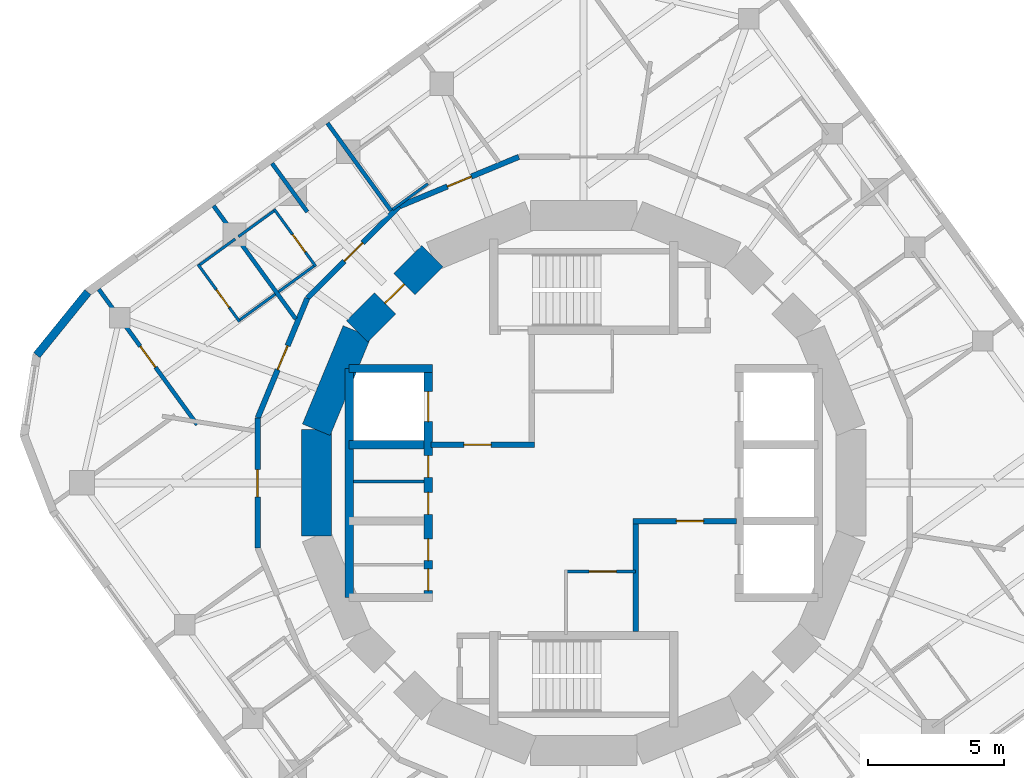
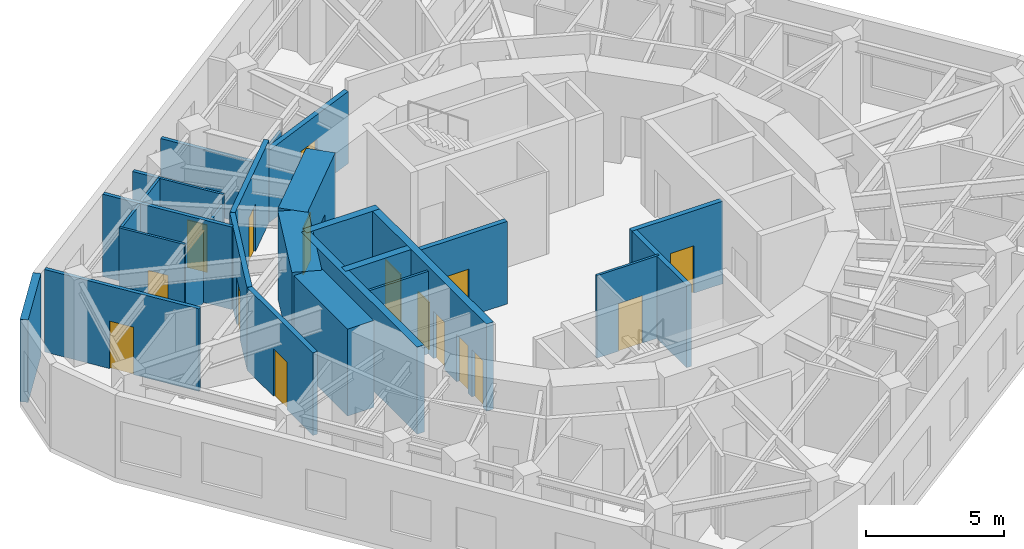
# One storey, part 5 of 9: 28 walls, 16 doors, 16 openings.
"""IFC4 building model written with IfcOpenShell, lengths in metres."""

from ifc_helpers import new_model, si_unit, direction, frame, frame_2d, origin, place, context, subcontext, project, spatial, rectangle, extrude, material, layer, layer_set, type_object, element, fill, save


model = new_model("IFC4")

# Units and contexts
model_context = context("Model", 3, precision=1e-05, world=origin(), true_north=direction((0.0, 1.0)))
body_context = subcontext(model_context, "Body", "Model", "MODEL_VIEW")
ifc_project = project(units=[si_unit("LENGTHUNIT", "METRE"), si_unit("AREAUNIT", "SQUARE_METRE"), si_unit("VOLUMEUNIT", "CUBIC_METRE"), si_unit("PLANEANGLEUNIT", "RADIAN"), si_unit("MASSUNIT", "GRAM", prefix="KILO")], contexts=[model_context])

# Site, building, storey
site_placement = place(None, origin())
site = spatial("IfcSite", under=ifc_project, at=site_placement, CompositionType="ELEMENT")
building_placement = place(site_placement, origin())
building = spatial("IfcBuilding", under=site, at=building_placement, Name="Nakasero Lantern House", CompositionType="ELEMENT")
storey_placement = place(building_placement, frame((0.0, 0.0, 271.449951171875)))
storey = spatial("IfcBuildingStorey", under=building, at=storey_placement, Name="L66", CompositionType="ELEMENT", Elevation=271.449951171875)

# Wall, openings, doors
ifc_material_1 = material(Name="Concrete C50/60", Category="concrete")
ifc_layer_1 = layer(ifc_material_1, 0.300048828125)
ifc_layer_set_1 = layer_set([ifc_layer_1], Name="Core inner wall 300")
wall_type_1 = type_object("IfcWallType", Name="Core inner wall 300", PredefinedType="SHEAR", material=ifc_layer_set_1)
wall_1_placement = place(storey_placement, frame((-5.699951171875, -4.199951171875, 0.0), z_axis=(0.0, 0.0, 1.0), x_axis=(0.0, 1.0, 0.0)))
wall_1 = element("IfcWall", 1, at=wall_1_placement, inside=storey, type_object=wall_type_1, Name="Core inner wall L66 LW", PredefinedType="SHEAR", context=body_context, shape_type="SweptSolid", body=[
    extrude(rectangle(XDim=8.39990234375, YDim=0.300048828125, at=frame_2d((4.199951171875, 0.0))), origin(), (0.0, 0.0, 1.0), 3.85009765625),
])
opening_1_placement = place(wall_1_placement, frame((0.25, 0.0, 0.0)))
opening_1 = element("IfcOpeningElement", 2, at=opening_1_placement, cuts=wall_1, Name="Opening D15", PredefinedType="OPENING", context=body_context, shape_type="SweptSolid", body=[
    extrude(rectangle(XDim=0.800048828125, YDim=2.10009765625, at=frame_2d((0.39990234375, 1.050048828125))), frame((0.0, 0.169921875, 0.0), z_axis=(0.0, -1.0, 0.0), x_axis=(1.0, 0.0, 0.0)), (0.0, 0.0, 1.0), 0.340087890625),
])
opening_2_placement = place(wall_1_placement, frame((1.35009765625, 0.0, 0.0)))
opening_2 = element("IfcOpeningElement", 3, at=opening_2_placement, cuts=wall_1, Name="Opening D15", PredefinedType="OPENING", context=body_context, shape_type="SweptSolid", body=[
    extrude(rectangle(XDim=0.800048828125, YDim=2.10009765625, at=frame_2d((0.39990234375, 1.050048828125))), frame((0.0, 0.169921875, 0.0), z_axis=(0.0, -1.0, 0.0), x_axis=(1.0, 0.0, 0.0)), (0.0, 0.0, 1.0), 0.340087890625),
])
opening_3_placement = place(wall_1_placement, frame((3.050048828125, 0.0, 0.0)))
opening_3 = element("IfcOpeningElement", 4, at=opening_3_placement, cuts=wall_1, Name="Opening D15", PredefinedType="OPENING", context=body_context, shape_type="SweptSolid", body=[
    extrude(rectangle(XDim=0.800048828125, YDim=2.10009765625, at=frame_2d((0.39990234375, 1.050048828125))), frame((0.0, 0.169921875, 0.0), z_axis=(0.0, -1.0, 0.0), x_axis=(1.0, 0.0, 0.0)), (0.0, 0.0, 1.0), 0.340087890625),
])
opening_4_placement = place(wall_1_placement, frame((4.39990234375, 0.0, 0.0)))
opening_4 = element("IfcOpeningElement", 5, at=opening_4_placement, cuts=wall_1, Name="Opening D15", PredefinedType="OPENING", context=body_context, shape_type="SweptSolid", body=[
    extrude(rectangle(XDim=0.800048828125, YDim=2.10009765625, at=frame_2d((0.39990234375, 1.050048828125))), frame((0.0, 0.169921875, 0.0), z_axis=(0.0, -1.0, 0.0), x_axis=(1.0, 0.0, 0.0)), (0.0, 0.0, 1.0), 0.340087890625),
])
opening_5_placement = place(wall_1_placement, frame((6.449951171875, 0.0, 0.0)))
opening_5 = element("IfcOpeningElement", 6, at=opening_5_placement, cuts=wall_1, Name="Opening LD", PredefinedType="OPENING", context=body_context, shape_type="SweptSolid", body=[
    extrude(rectangle(XDim=1.10009765625, YDim=2.10009765625, at=frame_2d((0.550048828125, 1.050048828125))), frame((0.0, 0.169921875, 0.0), z_axis=(0.0, -1.0, 0.0), x_axis=(1.0, 0.0, 0.0)), (0.0, 0.0, 1.0), 0.340087890625),
])
ifc_material_2 = material(Name="Timber C24", Category="wood")
door_type_1 = type_object("IfcDoorType", Name="Cleaner's store door FD30S 800", OperationType="SINGLE_SWING_LEFT", PredefinedType="DOOR", material=ifc_material_2)
door_1_placement = place(opening_1_placement, origin())
door_1 = element("IfcDoor", 7, at=door_1_placement, inside=storey, type_object=door_type_1, Name="Door L66 D-SH-LW1a", OperationType="SINGLE_SWING_LEFT", OverallHeight=2.10009765625, OverallWidth=0.800048828125, PredefinedType="DOOR", context=body_context, shape_type="SweptSolid", body=[
    extrude(rectangle(XDim=0.800048828125, YDim=2.10009765625, at=frame_2d((0.39990234375, 1.050048828125))), frame((0.0, 0.02490234375, 0.0), z_axis=(0.0, -1.0, 0.0), x_axis=(1.0, 0.0, 0.0)), (0.0, 0.0, 1.0), 0.050048828125),
])
fill(opening_1, door_1)
door_2_placement = place(opening_2_placement, origin())
door_2 = element("IfcDoor", 8, at=door_2_placement, inside=storey, type_object=door_type_1, Name="Door L66 D-SH-LW1b", OperationType="SINGLE_SWING_LEFT", OverallHeight=2.10009765625, OverallWidth=0.800048828125, PredefinedType="DOOR", context=body_context, shape_type="SweptSolid", body=[
    extrude(rectangle(XDim=0.800048828125, YDim=2.10009765625, at=frame_2d((0.39990234375, 1.050048828125))), frame((0.0, 0.02490234375, 0.0), z_axis=(0.0, -1.0, 0.0), x_axis=(1.0, 0.0, 0.0)), (0.0, 0.0, 1.0), 0.050048828125),
])
fill(opening_2, door_2)
door_3_placement = place(opening_3_placement, origin())
door_3 = element("IfcDoor", 9, at=door_3_placement, inside=storey, type_object=door_type_1, Name="Door L66 D-SH-LW2a", OperationType="SINGLE_SWING_LEFT", OverallHeight=2.10009765625, OverallWidth=0.800048828125, PredefinedType="DOOR", context=body_context, shape_type="SweptSolid", body=[
    extrude(rectangle(XDim=0.800048828125, YDim=2.10009765625, at=frame_2d((0.39990234375, 1.050048828125))), frame((0.0, 0.02490234375, 0.0), z_axis=(0.0, -1.0, 0.0), x_axis=(1.0, 0.0, 0.0)), (0.0, 0.0, 1.0), 0.050048828125),
])
fill(opening_3, door_3)
door_4_placement = place(opening_4_placement, origin())
door_4 = element("IfcDoor", 10, at=door_4_placement, inside=storey, type_object=door_type_1, Name="Door L66 D-SH-LW2b", OperationType="SINGLE_SWING_RIGHT", OverallHeight=2.10009765625, OverallWidth=0.800048828125, PredefinedType="DOOR", context=body_context, shape_type="SweptSolid", body=[
    extrude(rectangle(XDim=0.800048828125, YDim=2.10009765625, at=frame_2d((0.39990234375, 1.050048828125))), frame((0.0, 0.02490234375, 0.0), z_axis=(0.0, -1.0, 0.0), x_axis=(1.0, 0.0, 0.0)), (0.0, 0.0, 1.0), 0.050048828125),
])
fill(opening_4, door_4)
ifc_material_3 = material(Name="Steel S355", Category="steel")
door_type_2 = type_object("IfcDoorType", Name="Lift landing door E120 1100", OperationType="SLIDING_TO_LEFT", PredefinedType="DOOR", material=ifc_material_3)
door_5_placement = place(opening_5_placement, origin())
door_5 = element("IfcDoor", 11, at=door_5_placement, inside=storey, type_object=door_type_2, Name="Lift landing door LW3", OperationType="SLIDING_TO_LEFT", OverallHeight=2.10009765625, OverallWidth=1.10009765625, PredefinedType="DOOR", context=body_context, shape_type="SweptSolid", body=[
    extrude(rectangle(XDim=1.10009765625, YDim=2.10009765625, at=frame_2d((0.550048828125, 1.050048828125))), frame((0.0, 0.02490234375, 0.0), z_axis=(0.0, -1.0, 0.0), x_axis=(1.0, 0.0, 0.0)), (0.0, 0.0, 1.0), 0.050048828125),
])
fill(opening_5, door_5)

# Walls
wall_2_placement = place(storey_placement, frame((-8.60009765625, 4.199951171875, 0.0), z_axis=(0.0, 0.0, 1.0), x_axis=(1.0, 0.0, 0.0)))
element("IfcWall", 12, at=wall_2_placement, inside=storey, type_object=wall_type_1, Name="Core inner wall L66 LWN", PredefinedType="SHEAR", context=body_context, shape_type="SweptSolid", body=[
    extrude(rectangle(XDim=3.050048828125, YDim=0.300048828125, at=frame_2d((1.52490234375, 0.0))), origin(), (0.0, 0.0, 1.0), 3.85009765625),
])
wall_3_placement = place(storey_placement, frame((-8.60009765625, -4.199951171875, 0.0), z_axis=(0.0, 0.0, 1.0), x_axis=(0.0, 1.0, 0.0)))
element("IfcWall", 13, at=wall_3_placement, inside=storey, type_object=wall_type_1, Name="Core inner wall L66 LWB", PredefinedType="SHEAR", context=body_context, shape_type="SweptSolid", body=[
    extrude(rectangle(XDim=8.39990234375, YDim=0.300048828125, at=frame_2d((4.199951171875, 0.0))), origin(), (0.0, 0.0, 1.0), 3.85009765625),
])
wall_4_placement = place(storey_placement, frame((-8.60009765625, 1.39990234375, 0.0), z_axis=(0.0, 0.0, 1.0), x_axis=(1.0, 0.0, 0.0)))
element("IfcWall", 14, at=wall_4_placement, inside=storey, type_object=wall_type_1, Name="Core inner wall L66 LW2", PredefinedType="SHEAR", context=body_context, shape_type="SweptSolid", body=[
    extrude(rectangle(XDim=2.75, YDim=0.300048828125, at=frame_2d((1.375, 0.0))), origin(), (0.0, 0.0, 1.0), 3.85009765625),
])

# Wall, opening, door
ifc_material_4 = material(Name="Blockwork", Category="masonry")
ifc_layer_2 = layer(ifc_material_4, 0.10009765625)
ifc_layer_set_2 = layer_set([ifc_layer_2], Name="Core room wall 100")
wall_type_2 = type_object("IfcWallType", Name="Core room wall 100", PredefinedType="PARTITIONING", material=ifc_layer_set_2)
wall_5_placement = place(storey_placement, frame((-0.699951171875, -3.25, 0.0), z_axis=(0.0, 0.0, 1.0), x_axis=(1.0, 0.0, 0.0)))
wall_5 = element("IfcWall", 15, at=wall_5_placement, inside=storey, type_object=wall_type_2, Name="Core room wall L66 CR-SWN", PredefinedType="PARTITIONING", context=body_context, shape_type="SweptSolid", body=[
    extrude(rectangle(XDim=2.599853515625, YDim=0.10009765625, at=frame_2d((1.2998046875, 0.0))), origin(), (0.0, 0.0, 1.0), 3.650146484375),
])
opening_6_placement = place(wall_5_placement, frame((0.89990234375, 0.0, 0.0)))
opening_6 = element("IfcOpeningElement", 16, at=opening_6_placement, cuts=wall_5, Name="Opening D07", PredefinedType="OPENING", context=body_context, shape_type="SweptSolid", body=[
    extrude(rectangle(XDim=1.0, YDim=2.10009765625, at=frame_2d((0.5, 1.050048828125))), frame((0.0, 0.070068359375, 0.0), z_axis=(0.0, -1.0, 0.0), x_axis=(1.0, 0.0, 0.0)), (0.0, 0.0, 1.0), 0.14013671875),
])
ifc_material_5 = material(Name="Timber C24", Category="wood")
door_type_3 = type_object("IfcDoorType", Name="Room door FD30S 1000", OperationType="SINGLE_SWING_LEFT", PredefinedType="DOOR", material=ifc_material_5)
door_6_placement = place(opening_6_placement, origin())
door_6 = element("IfcDoor", 17, at=door_6_placement, inside=storey, type_object=door_type_3, Name="Door L66 D-CR-SW", OperationType="SINGLE_SWING_RIGHT", OverallHeight=2.10009765625, OverallWidth=1.0, PredefinedType="DOOR", context=body_context, shape_type="SweptSolid", body=[
    extrude(rectangle(XDim=1.0, YDim=2.10009765625, at=frame_2d((0.5, 1.050048828125))), frame((0.0, 0.02490234375, 0.0), z_axis=(0.0, -1.0, 0.0), x_axis=(1.0, 0.0, 0.0)), (0.0, 0.0, 1.0), 0.050048828125),
])
fill(opening_6, door_6)

# Wall
wall_6_placement = place(storey_placement, frame((-8.449951171875, 0.050048828125, 0.0), z_axis=(0.0, 0.0, 1.0), x_axis=(1.0, 0.0, 0.0)))
element("IfcWall", 18, at=wall_6_placement, inside=storey, type_object=wall_type_2, Name="Core room wall L66 CR-SH-LW2b", PredefinedType="PARTITIONING", context=body_context, shape_type="SweptSolid", body=[
    extrude(rectangle(XDim=2.599853515625, YDim=0.10009765625, at=frame_2d((1.2998046875, 0.0))), origin(), (0.0, 0.0, 1.0), 3.650146484375),
])

# Wall, opening, door
ifc_material_6 = material(Name="Concrete C50/60", Category="concrete")
ifc_layer_3 = layer(ifc_material_6, 1.10009765625)
ifc_layer_set_3 = layer_set([ifc_layer_3], Name="Core wall 1100")
wall_type_3 = type_object("IfcWallType", Name="Core wall 1100", PredefinedType="SHEAR", material=ifc_layer_set_3)
wall_7_placement = place(storey_placement, frame((-5.5556640625, 8.314697265625, 0.0), z_axis=(0.0, 0.0, 1.0), x_axis=(-0.707106781187, -0.707106781187, 0.0)))
wall_7 = element("IfcWall", 19, at=wall_7_placement, inside=storey, type_object=wall_type_3, Name="Core wall L66 facet 6", PredefinedType="SHEAR", context=body_context, shape_type="SweptSolid", body=[
    extrude(rectangle(XDim=3.90185546875, YDim=1.10009765625, at=frame_2d((1.950927734375, 0.0))), origin(), (0.0, 0.0, 1.0), 3.85009765625),
])
opening_7_placement = place(wall_7_placement, frame((1.450927734375, 0.0, 0.0)))
opening_7 = element("IfcOpeningElement", 20, at=opening_7_placement, cuts=wall_7, Name="Opening D05", PredefinedType="OPENING", context=body_context, shape_type="SweptSolid", body=[
    extrude(rectangle(XDim=1.0, YDim=2.10009765625, at=frame_2d((0.5, 1.050048828125))), frame((0.0, 0.570068359375, 0.0), z_axis=(0.0, -1.0, 0.0), x_axis=(1.0, 0.0, 0.0)), (0.0, 0.0, 1.0), 1.14013671875),
])
ifc_material_7 = material(Name="Timber C24", Category="wood")
door_type_4 = type_object("IfcDoorType", Name="Core door FD60S 1000", OperationType="SINGLE_SWING_LEFT", PredefinedType="DOOR", material=ifc_material_7)
door_7_placement = place(opening_7_placement, origin())
door_7 = element("IfcDoor", 21, at=door_7_placement, inside=storey, type_object=door_type_4, Name="Door L66 D-CORE06", OperationType="SINGLE_SWING_LEFT", OverallHeight=2.10009765625, OverallWidth=1.0, PredefinedType="DOOR", context=body_context, shape_type="SweptSolid", body=[
    extrude(rectangle(XDim=1.0, YDim=2.10009765625, at=frame_2d((0.5, 1.050048828125))), frame((0.0, 0.02490234375, 0.0), z_axis=(0.0, -1.0, 0.0), x_axis=(1.0, 0.0, 0.0)), (0.0, 0.0, 1.0), 0.050048828125),
])
fill(opening_7, door_7)

# Walls
for number, where, z_axis, x_axis, name in (
    (22, (-8.314697265625, 5.5556640625, 0.0), (0.0, 0.0, 1.0), (-0.382690736062, -0.923876507187, 0.0), "Core wall L66 facet 7"),
    (23, (-9.807861328125, 1.950927734375, 0.0), (0.0, 0.0, 1.0), (0.0, -1.0, 0.0), "Core wall L66 facet 8"),
):
    element("IfcWall", number, at=place(storey_placement, frame(where, z_axis=z_axis, x_axis=x_axis)), inside=storey, type_object=wall_type_3, Name=name, PredefinedType="SHEAR", context=body_context, shape_type="SweptSolid", body=[
        extrude(rectangle(XDim=3.90185546875, YDim=1.10009765625, at=frame_2d((1.950927734375, 0.0))), origin(), (0.0, 0.0, 1.0), 3.85009765625),
    ])

# Wall, opening, door
ifc_material_8 = material(Name="Blockwork", Category="masonry")
ifc_layer_4 = layer(ifc_material_8, 0.199951171875)
ifc_layer_set_4 = layer_set([ifc_layer_4], Name="Corridor wall 200")
wall_type_4 = type_object("IfcWallType", Name="Corridor wall 200", PredefinedType="PARTITIONING", material=ifc_layer_set_4)
wall_8_placement = place(storey_placement, frame((-11.957763671875, -2.378662109375, 0.0), z_axis=(0.0, 0.0, 1.0), x_axis=(0.0, 1.0, 0.0)))
wall_8 = element("IfcWall", 24, at=wall_8_placement, inside=storey, type_object=wall_type_4, Name="Corridor wall L66 RC08a", PredefinedType="PARTITIONING", context=body_context, shape_type="SweptSolid", body=[
    extrude(rectangle(XDim=4.75732421875, YDim=0.199951171875, at=frame_2d((2.378662109375, 0.0))), origin(), (0.0, 0.0, 1.0), 3.650146484375),
])
opening_8_placement = place(wall_8_placement, frame((1.8701171875, 0.0, 0.0)))
opening_8 = element("IfcOpeningElement", 25, at=opening_8_placement, cuts=wall_8, Name="Opening D03", PredefinedType="OPENING", context=body_context, shape_type="SweptSolid", body=[
    extrude(rectangle(XDim=1.0, YDim=2.10009765625, at=frame_2d((0.5, 1.050048828125))), frame((0.0, 0.119873046875, 0.0), z_axis=(0.0, -1.0, 0.0), x_axis=(1.0, 0.0, 0.0)), (0.0, 0.0, 1.0), 0.239990234375),
])
ifc_material_9 = material(Name="Timber C24", Category="wood")
door_type_5 = type_object("IfcDoorType", Name="Lounge door FD30S 1000", OperationType="SINGLE_SWING_LEFT", PredefinedType="DOOR", material=ifc_material_9)
door_8_placement = place(opening_8_placement, origin())
door_8 = element("IfcDoor", 26, at=door_8_placement, inside=storey, type_object=door_type_5, Name="Door L66 DK2", OperationType="SINGLE_SWING_LEFT", OverallHeight=2.10009765625, OverallWidth=1.0, PredefinedType="DOOR", context=body_context, shape_type="SweptSolid", body=[
    extrude(rectangle(XDim=1.0, YDim=2.10009765625, at=frame_2d((0.5, 1.050048828125))), frame((0.0, 0.02490234375, 0.0), z_axis=(0.0, -1.0, 0.0), x_axis=(1.0, 0.0, 0.0)), (0.0, 0.0, 1.0), 0.050048828125),
])
fill(opening_8, door_8)

wall_9_placement = place(storey_placement, frame((-11.957763671875, 2.378662109375, 0.0), z_axis=(0.0, 0.0, 1.0), x_axis=(0.382653970627, 0.923891735412, 0.0)))
wall_9 = element("IfcWall", 27, at=wall_9_placement, inside=storey, type_object=wall_type_4, Name="Corridor wall L66 RC09a", PredefinedType="PARTITIONING", context=body_context, shape_type="SweptSolid", body=[
    extrude(rectangle(XDim=4.757080078125, YDim=0.199951171875, at=frame_2d((2.37841796875, 0.0))), origin(), (0.0, 0.0, 1.0), 3.650146484375),
])
opening_9_placement = place(wall_9_placement, frame((1.919921875, 0.0, 0.0)))
opening_9 = element("IfcOpeningElement", 28, at=opening_9_placement, cuts=wall_9, Name="Opening D01", PredefinedType="OPENING", context=body_context, shape_type="SweptSolid", body=[
    extrude(rectangle(XDim=0.949951171875, YDim=2.10009765625, at=frame_2d((0.47509765625, 1.050048828125))), frame((0.0, 0.119873046875, 0.0), z_axis=(0.0, -1.0, 0.0), x_axis=(1.0, 0.0, 0.0)), (0.0, 0.0, 1.0), 0.239990234375),
])
ifc_material_10 = material(Name="Timber C24", Category="wood")
door_type_6 = type_object("IfcDoorType", Name="Bedroom door FD30S 950", OperationType="SINGLE_SWING_LEFT", PredefinedType="DOOR", material=ifc_material_10)
door_9_placement = place(opening_9_placement, origin())
door_9 = element("IfcDoor", 29, at=door_9_placement, inside=storey, type_object=door_type_6, Name="Door L66 D1-06", OperationType="SINGLE_SWING_RIGHT", OverallHeight=2.10009765625, OverallWidth=0.949951171875, PredefinedType="DOOR", context=body_context, shape_type="SweptSolid", body=[
    extrude(rectangle(XDim=0.949951171875, YDim=2.10009765625, at=frame_2d((0.47509765625, 1.050048828125))), frame((0.0, 0.02490234375, 0.0), z_axis=(0.0, -1.0, 0.0), x_axis=(1.0, 0.0, 0.0)), (0.0, 0.0, 1.0), 0.050048828125),
])
fill(opening_9, door_9)

wall_10_placement = place(storey_placement, frame((-10.137451171875, 6.773681640625, 0.0), z_axis=(0.0, 0.0, 1.0), x_axis=(0.707106781187, 0.707106781187, 0.0)))
wall_10 = element("IfcWall", 30, at=wall_10_placement, inside=storey, type_object=wall_type_4, Name="Corridor wall L66 RC10a", PredefinedType="PARTITIONING", context=body_context, shape_type="SweptSolid", body=[
    extrude(rectangle(XDim=4.757080078125, YDim=0.199951171875, at=frame_2d((2.37841796875, 0.0))), origin(), (0.0, 0.0, 1.0), 3.650146484375),
])
opening_10_placement = place(wall_10_placement, frame((1.919921875, 0.0, 0.0)))
opening_10 = element("IfcOpeningElement", 31, at=opening_10_placement, cuts=wall_10, Name="Opening D01", PredefinedType="OPENING", context=body_context, shape_type="SweptSolid", body=[
    extrude(rectangle(XDim=0.949951171875, YDim=2.10009765625, at=frame_2d((0.47509765625, 1.050048828125))), frame((0.0, 0.119873046875, 0.0), z_axis=(0.0, -1.0, 0.0), x_axis=(1.0, 0.0, 0.0)), (0.0, 0.0, 1.0), 0.239990234375),
])
door_10_placement = place(opening_10_placement, origin())
door_10 = element("IfcDoor", 32, at=door_10_placement, inside=storey, type_object=door_type_6, Name="Door L66 D1-04", OperationType="SINGLE_SWING_RIGHT", OverallHeight=2.10009765625, OverallWidth=0.949951171875, PredefinedType="DOOR", context=body_context, shape_type="SweptSolid", body=[
    extrude(rectangle(XDim=0.949951171875, YDim=2.10009765625, at=frame_2d((0.47509765625, 1.050048828125))), frame((0.0, 0.02490234375, 0.0), z_axis=(0.0, -1.0, 0.0), x_axis=(1.0, 0.0, 0.0)), (0.0, 0.0, 1.0), 0.050048828125),
])
fill(opening_10, door_10)

wall_11_placement = place(storey_placement, frame((-6.773681640625, 10.137451171875, 0.0), z_axis=(0.0, 0.0, 1.0), x_axis=(0.923891735412, 0.382653970627, 0.0)))
wall_11 = element("IfcWall", 33, at=wall_11_placement, inside=storey, type_object=wall_type_4, Name="Corridor wall L66 RC11a", PredefinedType="PARTITIONING", context=body_context, shape_type="SweptSolid", body=[
    extrude(rectangle(XDim=4.757080078125, YDim=0.199951171875, at=frame_2d((2.37841796875, 0.0))), origin(), (0.0, 0.0, 1.0), 3.18994140625),
])
opening_11_placement = place(wall_11_placement, frame((1.919921875, 0.0, 0.0)))
opening_11 = element("IfcOpeningElement", 34, at=opening_11_placement, cuts=wall_11, Name="Opening D01", PredefinedType="OPENING", context=body_context, shape_type="SweptSolid", body=[
    extrude(rectangle(XDim=0.949951171875, YDim=2.10009765625, at=frame_2d((0.47509765625, 1.050048828125))), frame((0.0, 0.119873046875, 0.0), z_axis=(0.0, -1.0, 0.0), x_axis=(1.0, 0.0, 0.0)), (0.0, 0.0, 1.0), 0.239990234375),
])
door_11_placement = place(opening_11_placement, origin())
door_11 = element("IfcDoor", 35, at=door_11_placement, inside=storey, type_object=door_type_6, Name="Door L66 D1-03", OperationType="SINGLE_SWING_RIGHT", OverallHeight=2.10009765625, OverallWidth=0.949951171875, PredefinedType="DOOR", context=body_context, shape_type="SweptSolid", body=[
    extrude(rectangle(XDim=0.949951171875, YDim=2.10009765625, at=frame_2d((0.47509765625, 1.050048828125))), frame((0.0, 0.02490234375, 0.0), z_axis=(0.0, -1.0, 0.0), x_axis=(1.0, 0.0, 0.0)), (0.0, 0.0, 1.0), 0.050048828125),
])
fill(opening_11, door_11)

# Wall
ifc_material_11 = material(Name="Blockwork", Category="masonry")
ifc_layer_5 = layer(ifc_material_11, 0.10009765625)
ifc_layer_set_5 = layer_set([ifc_layer_5], Name="En-suite wall 100")
wall_type_5 = type_object("IfcWallType", Name="En-suite wall 100", PredefinedType="PARTITIONING", material=ifc_layer_set_5)
wall_12_placement = place(storey_placement, frame((-5.713623046875, 10.9716796875, 0.0), z_axis=(0.0, 0.0, 1.0), x_axis=(-0.809026317077, -0.587772420479, 0.0)))
element("IfcWall", 36, at=wall_12_placement, inside=storey, type_object=wall_type_5, Name="En-suite wall L66 EI1-03", PredefinedType="PARTITIONING", context=body_context, shape_type="SweptSolid", body=[
    extrude(rectangle(XDim=1.60009765625, YDim=0.10009765625, at=frame_2d((0.800048828125, 0.0))), origin(), (0.0, 0.0, 1.0), 3.18994140625),
])

# Wall, opening, door
wall_13_placement = place(storey_placement, frame((-9.828125, 7.939453125, 0.0), z_axis=(0.0, 0.0, 1.0), x_axis=(-0.587791986546, 0.80901210161, 0.0)))
wall_13 = element("IfcWall", 37, at=wall_13_placement, inside=storey, type_object=wall_type_5, Name="En-suite wall L66 ES1-04", PredefinedType="PARTITIONING", context=body_context, shape_type="SweptSolid", body=[
    extrude(rectangle(XDim=2.60009765625, YDim=0.10009765625, at=frame_2d((1.300048828125, 0.0))), origin(), (0.0, 0.0, 1.0), 3.650146484375),
])
opening_12_placement = place(wall_13_placement, frame((0.64990234375, 0.0, 0.0)))
opening_12 = element("IfcOpeningElement", 38, at=opening_12_placement, cuts=wall_13, Name="Opening D02", PredefinedType="OPENING", context=body_context, shape_type="SweptSolid", body=[
    extrude(rectangle(XDim=0.800048828125, YDim=2.10009765625, at=frame_2d((0.39990234375, 1.050048828125))), frame((0.0, 0.070068359375, 0.0), z_axis=(0.0, -1.0, 0.0), x_axis=(1.0, 0.0, 0.0)), (0.0, 0.0, 1.0), 0.14013671875),
])
ifc_material_12 = material(Name="Timber C24", Category="wood")
door_type_7 = type_object("IfcDoorType", Name="En-suite door 800", OperationType="SINGLE_SWING_RIGHT", PredefinedType="DOOR", material=ifc_material_12)
door_12_placement = place(opening_12_placement, origin())
door_12 = element("IfcDoor", 39, at=door_12_placement, inside=storey, type_object=door_type_7, Name="Door L66 DE1-04", OperationType="SINGLE_SWING_LEFT", OverallHeight=2.10009765625, OverallWidth=0.800048828125, PredefinedType="DOOR", context=body_context, shape_type="SweptSolid", body=[
    extrude(rectangle(XDim=0.800048828125, YDim=2.10009765625, at=frame_2d((0.39990234375, 1.050048828125))), frame((0.0, 0.02490234375, 0.0), z_axis=(0.0, -1.0, 0.0), x_axis=(1.0, 0.0, 0.0)), (0.0, 0.0, 1.0), 0.050048828125),
])
fill(opening_12, door_12)

# Walls
wall_14_placement = place(storey_placement, frame((-11.367431640625, 9.97314453125, 0.0), z_axis=(0.0, 0.0, 1.0), x_axis=(-0.809026317077, -0.587772420479, 0.0)))
element("IfcWall", 40, at=wall_14_placement, inside=storey, type_object=wall_type_5, Name="En-suite wall L66 EE1-04", PredefinedType="PARTITIONING", context=body_context, shape_type="SweptSolid", body=[
    extrude(rectangle(XDim=1.60009765625, YDim=0.10009765625, at=frame_2d((0.800048828125, 0.0))), origin(), (0.0, 0.0, 1.0), 3.650146484375),
])
wall_15_placement = place(storey_placement, frame((-9.89794921875, 7.950439453125, 0.0), z_axis=(0.0, 0.0, 1.0), x_axis=(-0.809026317077, -0.587772420479, 0.0)))
element("IfcWall", 41, at=wall_15_placement, inside=storey, type_object=wall_type_5, Name="En-suite wall L66 EI1-04", PredefinedType="PARTITIONING", context=body_context, shape_type="SweptSolid", body=[
    extrude(rectangle(XDim=1.60009765625, YDim=0.10009765625, at=frame_2d((0.800048828125, 0.0))), origin(), (0.0, 0.0, 1.0), 3.18994140625),
])

# Wall, opening, door
wall_16_placement = place(storey_placement, frame((-12.619384765625, 5.91162109375, 0.0), z_axis=(0.0, 0.0, 1.0), x_axis=(-0.587730526155, 0.809056752413, 0.0)))
wall_16 = element("IfcWall", 42, at=wall_16_placement, inside=storey, type_object=wall_type_5, Name="En-suite wall L66 ES1-06", PredefinedType="PARTITIONING", context=body_context, shape_type="SweptSolid", body=[
    extrude(rectangle(XDim=2.599853515625, YDim=0.10009765625, at=frame_2d((1.2998046875, 0.0))), origin(), (0.0, 0.0, 1.0), 3.650146484375),
])
opening_13_placement = place(wall_16_placement, frame((0.64990234375, 0.0, 0.0)))
opening_13 = element("IfcOpeningElement", 43, at=opening_13_placement, cuts=wall_16, Name="Opening D02", PredefinedType="OPENING", context=body_context, shape_type="SweptSolid", body=[
    extrude(rectangle(XDim=0.800048828125, YDim=2.10009765625, at=frame_2d((0.39990234375, 1.050048828125))), frame((0.0, 0.070068359375, 0.0), z_axis=(0.0, -1.0, 0.0), x_axis=(1.0, 0.0, 0.0)), (0.0, 0.0, 1.0), 0.14013671875),
])
door_13_placement = place(opening_13_placement, origin())
door_13 = element("IfcDoor", 44, at=door_13_placement, inside=storey, type_object=door_type_7, Name="Door L66 DE1-06", OperationType="SINGLE_SWING_LEFT", OverallHeight=2.10009765625, OverallWidth=0.800048828125, PredefinedType="DOOR", context=body_context, shape_type="SweptSolid", body=[
    extrude(rectangle(XDim=0.800048828125, YDim=2.10009765625, at=frame_2d((0.39990234375, 1.050048828125))), frame((0.0, 0.02490234375, 0.0), z_axis=(0.0, -1.0, 0.0), x_axis=(1.0, 0.0, 0.0)), (0.0, 0.0, 1.0), 0.050048828125),
])
fill(opening_13, door_13)

# Walls
wall_17_placement = place(storey_placement, frame((-12.783203125, 8.9443359375, 0.0), z_axis=(0.0, 0.0, 1.0), x_axis=(-0.809026317077, -0.587772420479, 0.0)))
element("IfcWall", 45, at=wall_17_placement, inside=storey, type_object=wall_type_5, Name="En-suite wall L66 EE1-06", PredefinedType="PARTITIONING", context=body_context, shape_type="SweptSolid", body=[
    extrude(rectangle(XDim=1.60009765625, YDim=0.10009765625, at=frame_2d((0.800048828125, 0.0))), origin(), (0.0, 0.0, 1.0), 3.650146484375),
])
wall_18_placement = place(storey_placement, frame((-11.313720703125, 6.921875, 0.0), z_axis=(0.0, 0.0, 1.0), x_axis=(-0.809026317077, -0.587772420479, 0.0)))
element("IfcWall", 46, at=wall_18_placement, inside=storey, type_object=wall_type_5, Name="En-suite wall L66 EI1-06", PredefinedType="PARTITIONING", context=body_context, shape_type="SweptSolid", body=[
    extrude(rectangle(XDim=1.60009765625, YDim=0.10009765625, at=frame_2d((0.800048828125, 0.0))), origin(), (0.0, 0.0, 1.0), 3.18994140625),
])
ifc_material_13 = material(Name="Aluminium rainscreen on blockwork", Category="masonry")
ifc_layer_6 = layer(ifc_material_13, 0.300048828125)
ifc_layer_set_6 = layer_set([ifc_layer_6], Name="Facade wall 300")
wall_type_6 = type_object("IfcWallType", Name="Facade wall 300", PredefinedType="SOLIDWALL", material=ifc_layer_set_6)
wall_19_placement = place(storey_placement, frame((-18.185791015625, 6.996826171875, 0.0), z_axis=(0.0, 0.0, 1.0), x_axis=(-0.629375183362, -0.777101588319, 0.0)))
element("IfcWall", 47, at=wall_19_placement, inside=storey, type_object=wall_type_6, Name="Facade wall L66 FW1C1", PredefinedType="SOLIDWALL", context=body_context, shape_type="SweptSolid", body=[
    extrude(rectangle(XDim=2.976318359375, YDim=0.300048828125, at=frame_2d((1.48828125, 0.0))), origin(), (0.0, 0.0, 1.0), 3.650146484375),
])

# Wall, opening, door
ifc_material_14 = material(Name="Blockwork", Category="masonry")
ifc_layer_7 = layer(ifc_material_14, 0.199951171875)
ifc_layer_set_7 = layer_set([ifc_layer_7], Name="Fire lobby wall 200")
wall_type_7 = type_object("IfcWallType", Name="Fire lobby wall 200", PredefinedType="PARTITIONING", material=ifc_layer_set_7)
wall_20_placement = place(storey_placement, frame((-5.60009765625, 1.39990234375, 0.0), z_axis=(0.0, 0.0, 1.0), x_axis=(1.0, 0.0, 0.0)))
wall_20 = element("IfcWall", 48, at=wall_20_placement, inside=storey, type_object=wall_type_7, Name="Fire lobby wall L66 W-FL1S", PredefinedType="PARTITIONING", context=body_context, shape_type="SweptSolid", body=[
    extrude(rectangle(XDim=3.800048828125, YDim=0.199951171875, at=frame_2d((1.89990234375, 0.0))), origin(), (0.0, 0.0, 1.0), 3.650146484375),
])
opening_14_placement = place(wall_20_placement, frame((1.199951171875, 0.0, 0.0)))
opening_14 = element("IfcOpeningElement", 49, at=opening_14_placement, cuts=wall_20, Name="Opening D05", PredefinedType="OPENING", context=body_context, shape_type="SweptSolid", body=[
    extrude(rectangle(XDim=1.0, YDim=2.10009765625, at=frame_2d((0.5, 1.050048828125))), frame((0.0, 0.119873046875, 0.0), z_axis=(0.0, -1.0, 0.0), x_axis=(1.0, 0.0, 0.0)), (0.0, 0.0, 1.0), 0.239990234375),
])
door_14_placement = place(opening_14_placement, origin())
door_14 = element("IfcDoor", 50, at=door_14_placement, inside=storey, type_object=door_type_4, Name="Door L66 D-FL1", OperationType="SINGLE_SWING_LEFT", OverallHeight=2.10009765625, OverallWidth=1.0, PredefinedType="DOOR", context=body_context, shape_type="SweptSolid", body=[
    extrude(rectangle(XDim=1.0, YDim=2.10009765625, at=frame_2d((0.5, 1.050048828125))), frame((0.0, 0.02490234375, 0.0), z_axis=(0.0, -1.0, 0.0), x_axis=(1.0, 0.0, 0.0)), (0.0, 0.0, 1.0), 0.050048828125),
])
fill(opening_14, door_14)

wall_21_placement = place(storey_placement, frame((5.60009765625, -1.39990234375, 0.0), z_axis=(0.0, 0.0, 1.0), x_axis=(-1.0, 0.0, 0.0)))
wall_21 = element("IfcWall", 51, at=wall_21_placement, inside=storey, type_object=wall_type_7, Name="Fire lobby wall L66 W-FL2N", PredefinedType="PARTITIONING", context=body_context, shape_type="SweptSolid", body=[
    extrude(rectangle(XDim=3.800048828125, YDim=0.199951171875, at=frame_2d((1.89990234375, 0.0))), origin(), (0.0, 0.0, 1.0), 3.650146484375),
])
opening_15_placement = place(wall_21_placement, frame((1.199951171875, 0.0, 0.0)))
opening_15 = element("IfcOpeningElement", 52, at=opening_15_placement, cuts=wall_21, Name="Opening D05", PredefinedType="OPENING", context=body_context, shape_type="SweptSolid", body=[
    extrude(rectangle(XDim=1.0, YDim=2.10009765625, at=frame_2d((0.5, 1.050048828125))), frame((0.0, 0.119873046875, 0.0), z_axis=(0.0, -1.0, 0.0), x_axis=(1.0, 0.0, 0.0)), (0.0, 0.0, 1.0), 0.239990234375),
])
door_15_placement = place(opening_15_placement, origin())
door_15 = element("IfcDoor", 53, at=door_15_placement, inside=storey, type_object=door_type_4, Name="Door L66 D-FL2", OperationType="SINGLE_SWING_LEFT", OverallHeight=2.10009765625, OverallWidth=1.0, PredefinedType="DOOR", context=body_context, shape_type="SweptSolid", body=[
    extrude(rectangle(XDim=1.0, YDim=2.10009765625, at=frame_2d((0.5, 1.050048828125))), frame((0.0, 0.02490234375, 0.0), z_axis=(0.0, -1.0, 0.0), x_axis=(1.0, 0.0, 0.0)), (0.0, 0.0, 1.0), 0.050048828125),
])
fill(opening_15, door_15)

# Walls
wall_22_placement = place(storey_placement, frame((1.89990234375, -1.5, 0.0), z_axis=(0.0, 0.0, 1.0), x_axis=(0.0, -1.0, 0.0)))
element("IfcWall", 54, at=wall_22_placement, inside=storey, type_object=wall_type_7, Name="Fire lobby wall L66 W-FL2W", PredefinedType="PARTITIONING", context=body_context, shape_type="SweptSolid", body=[
    extrude(rectangle(XDim=3.949951171875, YDim=0.199951171875, at=frame_2d((1.97509765625, 0.0))), origin(), (0.0, 0.0, 1.0), 3.650146484375),
])
ifc_material_15 = material(Name="Blockwork", Category="masonry")
ifc_layer_8 = layer(ifc_material_15, 0.14990234375)
ifc_layer_set_8 = layer_set([ifc_layer_8], Name="Party wall 150")
wall_type_8 = type_object("IfcWallType", Name="Party wall 150", PredefinedType="PARTITIONING", material=ifc_layer_set_8)
wall_23_placement = place(storey_placement, frame((-10.13818359375, 9.939208984375, 0.0), z_axis=(0.0, 0.0, 1.0), x_axis=(-0.587821928992, 0.808990345923, 0.0)))
element("IfcWall", 55, at=wall_23_placement, inside=storey, type_object=wall_type_8, Name="Party wall L66 PN1-05", PredefinedType="PARTITIONING", context=body_context, shape_type="SweptSolid", body=[
    extrude(rectangle(XDim=2.199951171875, YDim=0.14990234375, at=frame_2d((1.10009765625, 0.0))), origin(), (0.0, 0.0, 1.0), 2.95703125),
])
wall_24_placement = place(storey_placement, frame((-7.067138671875, 9.985107421875, 0.0), z_axis=(0.0, 0.0, 1.0), x_axis=(-0.587802119896, 0.809004739075, 0.0)))
element("IfcWall", 56, at=wall_24_placement, inside=storey, type_object=wall_type_8, Name="Party wall L66 PW1-04", PredefinedType="PARTITIONING", context=body_context, shape_type="SweptSolid", body=[
    extrude(rectangle(XDim=3.9677734375, YDim=0.14990234375, at=frame_2d((1.98388671875, 0.0))), origin(), (0.0, 0.0, 1.0), 2.809326171875),
])
wall_25_placement = place(storey_placement, frame((-10.560791015625, 6.012939453125, 0.0), z_axis=(0.0, 0.0, 1.0), x_axis=(-0.587780977736, 0.809020100005, 0.0)))
element("IfcWall", 57, at=wall_25_placement, inside=storey, type_object=wall_type_8, Name="Party wall L66 PW1-06", PredefinedType="PARTITIONING", context=body_context, shape_type="SweptSolid", body=[
    extrude(rectangle(XDim=5.1279296875, YDim=0.14990234375, at=frame_2d((2.56396484375, 0.0))), origin(), (0.0, 0.0, 1.0), 3.650146484375),
])

# Wall, opening, door
wall_26_placement = place(storey_placement, frame((-14.1767578125, 2.137939453125, 0.0), z_axis=(0.0, 0.0, 1.0), x_axis=(-0.587774266883, 0.809024975628, 0.0)))
wall_26 = element("IfcWall", 58, at=wall_26_placement, inside=storey, type_object=wall_type_8, Name="Party wall L66 PW1-07", PredefinedType="PARTITIONING", context=body_context, shape_type="SweptSolid", body=[
    extrude(rectangle(XDim=6.137451171875, YDim=0.14990234375, at=frame_2d((3.06884765625, 0.0))), origin(), (0.0, 0.0, 1.0), 3.650146484375),
])
opening_16_placement = place(wall_26_placement, frame((2.60009765625, 0.0, 0.0)))
opening_16 = element("IfcOpeningElement", 59, at=opening_16_placement, cuts=wall_26, Name="Opening D01", PredefinedType="OPENING", context=body_context, shape_type="SweptSolid", body=[
    extrude(rectangle(XDim=0.949951171875, YDim=2.10009765625, at=frame_2d((0.47509765625, 1.050048828125))), frame((0.0, 0.094970703125, 0.0), z_axis=(0.0, -1.0, 0.0), x_axis=(1.0, 0.0, 0.0)), (0.0, 0.0, 1.0), 0.18994140625),
])
door_16_placement = place(opening_16_placement, origin())
door_16 = element("IfcDoor", 60, at=door_16_placement, inside=storey, type_object=door_type_6, Name="Door L66 DC1", OperationType="SINGLE_SWING_RIGHT", OverallHeight=2.10009765625, OverallWidth=0.949951171875, PredefinedType="DOOR", context=body_context, shape_type="SweptSolid", body=[
    extrude(rectangle(XDim=0.949951171875, YDim=2.10009765625, at=frame_2d((0.47509765625, 1.050048828125))), frame((0.0, 0.02490234375, 0.0), z_axis=(0.0, -1.0, 0.0), x_axis=(1.0, 0.0, 0.0)), (0.0, 0.0, 1.0), 0.050048828125),
])
fill(opening_16, door_16)

save(model, "model.ifc")
